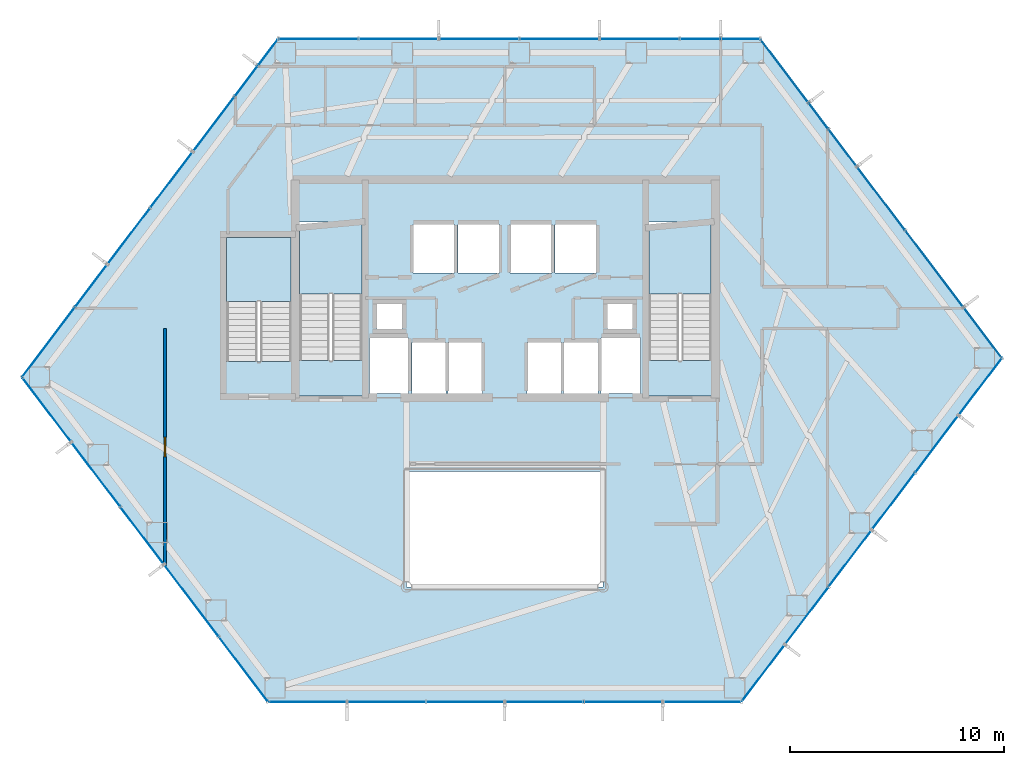
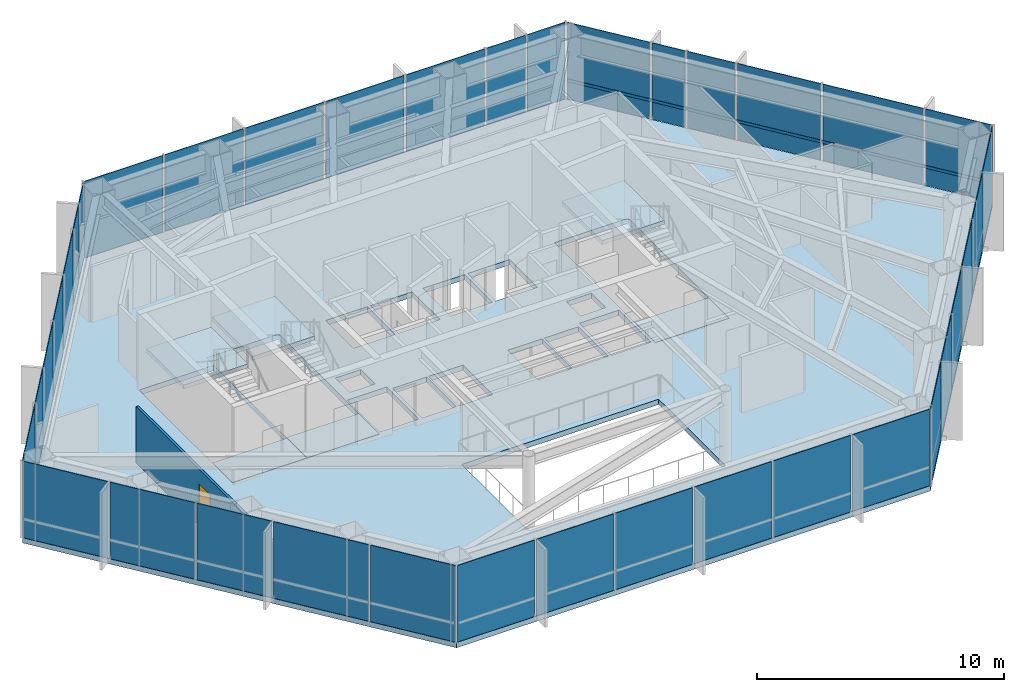
# One storey, part 21 of 25: 37 plates, 7 slabs, 1 door, 1 member, 1 wall, 1 opening, 9 elements without a shape of their own.
"""IFC4 building model written with IfcOpenShell, lengths in metres."""

from ifc_helpers import new_model, si_unit, direction, frame, frame_2d, origin, origin_2d, place, context, subcontext, project, spatial, polyline, rectangle, hollow_rectangle, outline, extrude, material, layer, layer_set, material_profile, profile_set, type_object, element, fill, aggregate, save


model = new_model("IFC4")

# Units and contexts
model_context = context("Model", 3, precision=1e-05, world=origin(), true_north=direction((0.0, 1.0)))
body_context = subcontext(model_context, "Body", "Model", "MODEL_VIEW")
ifc_project = project(units=[si_unit("LENGTHUNIT", "METRE"), si_unit("AREAUNIT", "SQUARE_METRE"), si_unit("VOLUMEUNIT", "CUBIC_METRE"), si_unit("PLANEANGLEUNIT", "RADIAN"), si_unit("MASSUNIT", "GRAM", prefix="KILO")], contexts=[model_context])

# Site, building, storey
site_placement = place(None, origin())
site = spatial("IfcSite", under=ifc_project, at=site_placement, CompositionType="ELEMENT")
building_placement = place(site_placement, origin())
building = spatial("IfcBuilding", under=site, at=building_placement, Name="Zarrinselat Tower", CompositionType="ELEMENT")
storey_placement = place(building_placement, frame((0.0, 0.0, 39.780029296875)))
storey = spatial("IfcBuildingStorey", under=building, at=storey_placement, Name="L09", CompositionType="ELEMENT", Elevation=39.780029296875)

# Curtain wall, member
ifc_material_1 = material(Name="Extruded Aluminium Alloy EN AW-6063 T6", Category="aluminium")
ifc_layer_1 = layer(ifc_material_1, 0.18505859375)
ifc_layer_set_1 = layer_set([ifc_layer_1], Name="Extruded Aluminium Alloy EN AW-6063 T6")
curtain_wall_type = type_object("IfcCurtainWallType", Name="CWS-OFF", PredefinedType="NOTDEFINED", material=ifc_layer_set_1)
curtain_wall_1_placement = place(storey_placement, origin())
curtain_wall_1 = element("IfcCurtainWall", 1, at=curtain_wall_1_placement, inside=storey, type_object=curtain_wall_type, Name="L09 Unitised Curtain Wall CW-L09-E06", PredefinedType="NOTDEFINED")
ifc_material_2 = material(Name="Extruded Aluminium Alloy EN AW-6063 T6", Category="aluminium")
ifc_material_profile = material_profile(ifc_material_2, hollow_rectangle(XDim=0.06005859375, YDim=0.139892578125, WallThickness=0.00390625, at=origin_2d()), Name="RHS 140x60x4")
ifc_profile_set = profile_set([ifc_material_profile], Name="Extruded Aluminium Alloy EN AW-6063 T6")
member_type = type_object("IfcMemberType", Name="MEM-CW-TRN", PredefinedType="USERDEFINED", material=ifc_profile_set)
member_placement = place(storey_placement, frame((61.6083984375, 35.1826171875, 0.949951171875), z_axis=(-0.60385819465, 0.797091764324, 0.0), x_axis=(-0.797091764324, -0.60385819465, 0.0)))
member = element("IfcMember", 2, at=member_placement, type_object=member_type, Name="CW-L09-E06 Transom 1", ObjectType="TRANSOM", PredefinedType="USERDEFINED", context=body_context, shape_type="SweptSolid", body=[
    extrude(hollow_rectangle(XDim=0.06005859375, YDim=0.139892578125, WallThickness=0.00390625, at=origin_2d()), origin(), (0.0, 0.0, 1.0), 18.554931640625),
])

# Curtain wall, plates
curtain_wall_2_placement = place(storey_placement, origin())
curtain_wall_2 = element("IfcCurtainWall", 3, at=curtain_wall_2_placement, inside=storey, type_object=curtain_wall_type, Name="L09 Unitised Curtain Wall CW-L09-E01", PredefinedType="NOTDEFINED")
ifc_material_3 = material(Name="Double Low-E Laminated Solar Glass", Category="glass")
ifc_layer_2 = layer(ifc_material_3, 0.031982421875)
ifc_layer_set_2 = layer_set([ifc_layer_2], Name="Double Low-E Laminated Solar Glass")
plate_type = type_object("IfcPlateType", Name="PLT-CW-GL32", PredefinedType="CURTAIN_PANEL", material=ifc_layer_set_2)
plate_1_placement = place(storey_placement, frame((49.4248046875, 50.04443359375, 0.02001953125), z_axis=(0.0, 0.0, 1.0), x_axis=(-1.0, 0.0, 0.0)))
plate_1 = element("IfcPlate", 4, at=plate_1_placement, type_object=plate_type, Name="CW-L09-E01 Vision Glass Panel 1", PredefinedType="CURTAIN_PANEL", context=body_context, shape_type="SweptSolid", body=[
    extrude(rectangle(XDim=1.74951171875, YDim=0.031982421875, at=origin_2d()), origin(), (0.0, 0.0, 1.0), 3.780029296875),
])
plate_2_placement = place(storey_placement, frame((47.54541015625, 50.04443359375, 0.02001953125), z_axis=(0.0, 0.0, 1.0), x_axis=(-1.0, 0.0, 0.0)))
plate_2 = element("IfcPlate", 5, at=plate_2_placement, type_object=plate_type, Name="CW-L09-E01 Vision Glass Panel 2", PredefinedType="CURTAIN_PANEL", context=body_context, shape_type="SweptSolid", body=[
    extrude(rectangle(XDim=1.80908203125, YDim=0.031982421875, at=origin_2d()), origin(), (0.0, 0.0, 1.0), 3.780029296875),
])
plate_3_placement = place(storey_placement, frame((44.7119140625, 50.04443359375, 0.02001953125), z_axis=(0.0, 0.0, 1.0), x_axis=(-1.0, 0.0, 0.0)))
plate_3 = element("IfcPlate", 6, at=plate_3_placement, type_object=plate_type, Name="CW-L09-E01 Vision Glass Panel 3", PredefinedType="CURTAIN_PANEL", context=body_context, shape_type="SweptSolid", body=[
    extrude(rectangle(XDim=3.658447265625, YDim=0.031982421875, at=origin_2d()), origin(), (0.0, 0.0, 1.0), 3.780029296875),
])
plate_4_placement = place(storey_placement, frame((40.953369140625, 50.04443359375, 0.02001953125), z_axis=(0.0, 0.0, 1.0), x_axis=(-1.0, 0.0, 0.0)))
plate_4 = element("IfcPlate", 7, at=plate_4_placement, type_object=plate_type, Name="CW-L09-E01 Vision Glass Panel 4", PredefinedType="CURTAIN_PANEL", context=body_context, shape_type="SweptSolid", body=[
    extrude(rectangle(XDim=3.658447265625, YDim=0.031982421875, at=origin_2d()), origin(), (0.0, 0.0, 1.0), 3.780029296875),
])
plate_5_placement = place(storey_placement, frame((37.195068359375, 50.04443359375, 0.02001953125), z_axis=(0.0, 0.0, 1.0), x_axis=(-1.0, 0.0, 0.0)))
plate_5 = element("IfcPlate", 8, at=plate_5_placement, type_object=plate_type, Name="CW-L09-E01 Vision Glass Panel 5", PredefinedType="CURTAIN_PANEL", context=body_context, shape_type="SweptSolid", body=[
    extrude(rectangle(XDim=3.658447265625, YDim=0.031982421875, at=origin_2d()), origin(), (0.0, 0.0, 1.0), 3.780029296875),
])
plate_6_placement = place(storey_placement, frame((33.436767578125, 50.04443359375, 0.02001953125), z_axis=(0.0, 0.0, 1.0), x_axis=(-1.0, 0.0, 0.0)))
plate_6 = element("IfcPlate", 9, at=plate_6_placement, type_object=plate_type, Name="CW-L09-E01 Vision Glass Panel 6", PredefinedType="CURTAIN_PANEL", context=body_context, shape_type="SweptSolid", body=[
    extrude(rectangle(XDim=3.658447265625, YDim=0.031982421875, at=origin_2d()), origin(), (0.0, 0.0, 1.0), 3.780029296875),
])
plate_7_placement = place(storey_placement, frame((29.67822265625, 50.04443359375, 0.02001953125), z_axis=(0.0, 0.0, 1.0), x_axis=(-1.0, 0.0, 0.0)))
plate_7 = element("IfcPlate", 10, at=plate_7_placement, type_object=plate_type, Name="CW-L09-E01 Vision Glass Panel 7", PredefinedType="CURTAIN_PANEL", context=body_context, shape_type="SweptSolid", body=[
    extrude(rectangle(XDim=3.658447265625, YDim=0.031982421875, at=origin_2d()), origin(), (0.0, 0.0, 1.0), 3.780029296875),
])
aggregate(curtain_wall_2, [plate_1, plate_2, plate_3, plate_4, plate_5, plate_6, plate_7])

curtain_wall_3_placement = place(storey_placement, origin())
curtain_wall_3 = element("IfcCurtainWall", 11, at=curtain_wall_3_placement, inside=storey, type_object=curtain_wall_type, Name="L09 Unitised Curtain Wall CW-L09-E02", PredefinedType="NOTDEFINED")
plate_8_placement = place(storey_placement, frame((27.322509765625, 49.415283203125, 0.02001953125), z_axis=(0.0, 0.0, 1.0), x_axis=(-0.603856912101, -0.797092735952, 0.0)))
plate_8 = element("IfcPlate", 12, at=plate_8_placement, type_object=plate_type, Name="CW-L09-E02 Vision Glass Panel 1", PredefinedType="CURTAIN_PANEL", context=body_context, shape_type="SweptSolid", body=[
    extrude(rectangle(XDim=1.478515625, YDim=0.031982421875, at=origin_2d()), origin(), (0.0, 0.0, 1.0), 3.780029296875),
])
plate_9_placement = place(storey_placement, frame((26.299072265625, 48.064208984375, 0.02001953125), z_axis=(0.0, 0.0, 1.0), x_axis=(-0.603856912101, -0.797092735952, 0.0)))
plate_9 = element("IfcPlate", 13, at=plate_9_placement, type_object=plate_type, Name="CW-L09-E02 Vision Glass Panel 2", PredefinedType="CURTAIN_PANEL", context=body_context, shape_type="SweptSolid", body=[
    extrude(rectangle(XDim=1.711181640625, YDim=0.031982421875, at=origin_2d()), origin(), (0.0, 0.0, 1.0), 3.780029296875),
])
plate_10_placement = place(storey_placement, frame((24.777587890625, 46.05615234375, 0.02001953125), z_axis=(0.0, 0.0, 1.0), x_axis=(-0.603856912101, -0.797092735952, 0.0)))
plate_10 = element("IfcPlate", 14, at=plate_10_placement, type_object=plate_type, Name="CW-L09-E02 Vision Glass Panel 3", PredefinedType="CURTAIN_PANEL", context=body_context, shape_type="SweptSolid", body=[
    extrude(rectangle(XDim=3.12744140625, YDim=0.031982421875, at=origin_2d()), origin(), (0.0, 0.0, 1.0), 3.780029296875),
])
plate_11_placement = place(storey_placement, frame((22.80419921875, 43.451416015625, 0.02001953125), z_axis=(0.0, 0.0, 1.0), x_axis=(-0.603856912101, -0.797092735952, 0.0)))
plate_11 = element("IfcPlate", 15, at=plate_11_placement, type_object=plate_type, Name="CW-L09-E02 Vision Glass Panel 4", PredefinedType="CURTAIN_PANEL", context=body_context, shape_type="SweptSolid", body=[
    extrude(rectangle(XDim=3.20849609375, YDim=0.031982421875, at=origin_2d()), origin(), (0.0, 0.0, 1.0), 3.780029296875),
])
plate_12_placement = place(storey_placement, frame((20.806396484375, 40.814208984375, 0.02001953125), z_axis=(0.0, 0.0, 1.0), x_axis=(-0.603856912101, -0.797092735952, 0.0)))
plate_12 = element("IfcPlate", 16, at=plate_12_placement, type_object=plate_type, Name="CW-L09-E02 Vision Glass Panel 5", PredefinedType="CURTAIN_PANEL", context=body_context, shape_type="SweptSolid", body=[
    extrude(rectangle(XDim=3.20849609375, YDim=0.031982421875, at=origin_2d()), origin(), (0.0, 0.0, 1.0), 3.780029296875),
])
plate_13_placement = place(storey_placement, frame((19.04638671875, 38.490966796875, 0.02001953125), z_axis=(0.0, 0.0, 1.0), x_axis=(-0.603856912101, -0.797092735952, 0.0)))
plate_13 = element("IfcPlate", 17, at=plate_13_placement, type_object=plate_type, Name="CW-L09-E02 Vision Glass Panel 6", PredefinedType="CURTAIN_PANEL", context=body_context, shape_type="SweptSolid", body=[
    extrude(rectangle(XDim=2.420654296875, YDim=0.031982421875, at=origin_2d()), origin(), (0.0, 0.0, 1.0), 3.780029296875),
])
plate_14_placement = place(storey_placement, frame((17.048583984375, 35.853515625, 0.02001953125), z_axis=(0.0, 0.0, 1.0), x_axis=(-0.603856912101, -0.797092735952, 0.0)))
plate_14 = element("IfcPlate", 18, at=plate_14_placement, type_object=plate_type, Name="CW-L09-E02 Vision Glass Panel 7", PredefinedType="CURTAIN_PANEL", context=body_context, shape_type="SweptSolid", body=[
    extrude(rectangle(XDim=3.996337890625, YDim=0.031982421875, at=origin_2d()), origin(), (0.0, 0.0, 1.0), 3.780029296875),
])
aggregate(curtain_wall_3, [plate_8, plate_9, plate_10, plate_11, plate_12, plate_13, plate_14])

curtain_wall_4_placement = place(storey_placement, origin())
curtain_wall_4 = element("IfcCurtainWall", 19, at=curtain_wall_4_placement, inside=storey, type_object=curtain_wall_type, Name="L09 Unitised Curtain Wall CW-L09-E03", PredefinedType="NOTDEFINED")
plate_15_placement = place(storey_placement, frame((16.963134765625, 32.701171875, 0.02001953125), z_axis=(0.0, 0.0, 1.0), x_axis=(0.603857284091, -0.797092454142, 0.0)))
plate_15 = element("IfcPlate", 20, at=plate_15_placement, type_object=plate_type, Name="CW-L09-E03 Vision Glass Panel 1", PredefinedType="CURTAIN_PANEL", context=body_context, shape_type="SweptSolid", body=[
    extrude(rectangle(XDim=3.71337890625, YDim=0.031982421875, at=origin_2d()), origin(), (0.0, 0.0, 1.0), 3.780029296875),
])
plate_16_placement = place(storey_placement, frame((19.265869140625, 29.66162109375, 0.02001953125), z_axis=(0.0, 0.0, 1.0), x_axis=(0.603857284091, -0.797092454142, 0.0)))
plate_16 = element("IfcPlate", 21, at=plate_16_placement, type_object=plate_type, Name="CW-L09-E03 Vision Glass Panel 2", PredefinedType="CURTAIN_PANEL", context=body_context, shape_type="SweptSolid", body=[
    extrude(rectangle(XDim=3.71337890625, YDim=0.031982421875, at=origin_2d()), origin(), (0.0, 0.0, 1.0), 3.780029296875),
])
plate_17_placement = place(storey_placement, frame((21.434814453125, 26.798583984375, 0.02001953125), z_axis=(0.0, 0.0, 1.0), x_axis=(0.603857284091, -0.797092454142, 0.0)))
plate_17 = element("IfcPlate", 22, at=plate_17_placement, type_object=plate_type, Name="CW-L09-E03 Vision Glass Panel 3", PredefinedType="CURTAIN_PANEL", context=body_context, shape_type="SweptSolid", body=[
    extrude(rectangle(XDim=3.27001953125, YDim=0.031982421875, at=origin_2d()), origin(), (0.0, 0.0, 1.0), 3.780029296875),
])
plate_18_placement = place(storey_placement, frame((23.7373046875, 23.759033203125, 0.02001953125), z_axis=(0.0, 0.0, 1.0), x_axis=(0.603857284091, -0.797092454142, 0.0)))
plate_18 = element("IfcPlate", 23, at=plate_18_placement, type_object=plate_type, Name="CW-L09-E03 Vision Glass Panel 4", PredefinedType="CURTAIN_PANEL", context=body_context, shape_type="SweptSolid", body=[
    extrude(rectangle(XDim=4.15673828125, YDim=0.031982421875, at=origin_2d()), origin(), (0.0, 0.0, 1.0), 3.780029296875),
])
plate_19_placement = place(storey_placement, frame((26.174072265625, 20.542724609375, 0.02001953125), z_axis=(0.0, 0.0, 1.0), x_axis=(0.603857284091, -0.797092454142, 0.0)))
plate_19 = element("IfcPlate", 24, at=plate_19_placement, type_object=plate_type, Name="CW-L09-E03 Vision Glass Panel 5", PredefinedType="CURTAIN_PANEL", context=body_context, shape_type="SweptSolid", body=[
    extrude(rectangle(XDim=3.71337890625, YDim=0.031982421875, at=origin_2d()), origin(), (0.0, 0.0, 1.0), 3.780029296875),
])
aggregate(curtain_wall_4, [plate_15, plate_16, plate_17, plate_18, plate_19])

curtain_wall_5_placement = place(storey_placement, origin())
curtain_wall_5 = element("IfcCurtainWall", 25, at=curtain_wall_5_placement, inside=storey, type_object=curtain_wall_type, Name="L09 Unitised Curtain Wall CW-L09-E04", PredefinedType="NOTDEFINED")
plate_20_placement = place(storey_placement, frame((29.171142578125, 19.02294921875, 0.02001953125), z_axis=(0.0, 0.0, 1.0), x_axis=(1.0, 0.0, 0.0)))
plate_20 = element("IfcPlate", 26, at=plate_20_placement, type_object=plate_type, Name="CW-L09-E04 Vision Glass Panel 1", PredefinedType="CURTAIN_PANEL", context=body_context, shape_type="SweptSolid", body=[
    extrude(rectangle(XDim=3.591552734375, YDim=0.031982421875, at=origin_2d()), origin(), (0.0, 0.0, 1.0), 3.780029296875),
])
plate_21_placement = place(storey_placement, frame((32.86279296875, 19.02294921875, 0.02001953125), z_axis=(0.0, 0.0, 1.0), x_axis=(1.0, 0.0, 0.0)))
plate_21 = element("IfcPlate", 27, at=plate_21_placement, type_object=plate_type, Name="CW-L09-E04 Vision Glass Panel 2", PredefinedType="CURTAIN_PANEL", context=body_context, shape_type="SweptSolid", body=[
    extrude(rectangle(XDim=3.591552734375, YDim=0.031982421875, at=origin_2d()), origin(), (0.0, 0.0, 1.0), 3.780029296875),
])
plate_22_placement = place(storey_placement, frame((36.55419921875, 19.02294921875, 0.02001953125), z_axis=(0.0, 0.0, 1.0), x_axis=(1.0, 0.0, 0.0)))
plate_22 = element("IfcPlate", 28, at=plate_22_placement, type_object=plate_type, Name="CW-L09-E04 Vision Glass Panel 3", PredefinedType="CURTAIN_PANEL", context=body_context, shape_type="SweptSolid", body=[
    extrude(rectangle(XDim=3.591552734375, YDim=0.031982421875, at=origin_2d()), origin(), (0.0, 0.0, 1.0), 3.780029296875),
])
plate_23_placement = place(storey_placement, frame((40.245849609375, 19.02294921875, 0.02001953125), z_axis=(0.0, 0.0, 1.0), x_axis=(1.0, 0.0, 0.0)))
plate_23 = element("IfcPlate", 29, at=plate_23_placement, type_object=plate_type, Name="CW-L09-E04 Vision Glass Panel 4", PredefinedType="CURTAIN_PANEL", context=body_context, shape_type="SweptSolid", body=[
    extrude(rectangle(XDim=3.591552734375, YDim=0.031982421875, at=origin_2d()), origin(), (0.0, 0.0, 1.0), 3.780029296875),
])
plate_24_placement = place(storey_placement, frame((43.937255859375, 19.02294921875, 0.02001953125), z_axis=(0.0, 0.0, 1.0), x_axis=(1.0, 0.0, 0.0)))
plate_24 = element("IfcPlate", 30, at=plate_24_placement, type_object=plate_type, Name="CW-L09-E04 Vision Glass Panel 5", PredefinedType="CURTAIN_PANEL", context=body_context, shape_type="SweptSolid", body=[
    extrude(rectangle(XDim=3.591552734375, YDim=0.031982421875, at=origin_2d()), origin(), (0.0, 0.0, 1.0), 3.780029296875),
])
plate_25_placement = place(storey_placement, frame((47.62890625, 19.02294921875, 0.02001953125), z_axis=(0.0, 0.0, 1.0), x_axis=(1.0, 0.0, 0.0)))
plate_25 = element("IfcPlate", 31, at=plate_25_placement, type_object=plate_type, Name="CW-L09-E04 Vision Glass Panel 6", PredefinedType="CURTAIN_PANEL", context=body_context, shape_type="SweptSolid", body=[
    extrude(rectangle(XDim=3.591552734375, YDim=0.031982421875, at=origin_2d()), origin(), (0.0, 0.0, 1.0), 3.780029296875),
])
aggregate(curtain_wall_5, [plate_20, plate_21, plate_22, plate_23, plate_24, plate_25])

curtain_wall_6_placement = place(storey_placement, origin())
curtain_wall_6 = element("IfcCurtainWall", 32, at=curtain_wall_6_placement, inside=storey, type_object=curtain_wall_type, Name="L09 Unitised Curtain Wall CW-L09-E05", PredefinedType="NOTDEFINED")
plate_26_placement = place(storey_placement, frame((50.490234375, 20.363525390625, 0.02001953125), z_axis=(0.0, 0.0, 1.0), x_axis=(0.603859118859, 0.797091064164, 0.0)))
plate_26 = element("IfcPlate", 33, at=plate_26_placement, type_object=plate_type, Name="CW-L09-E05 Vision Glass Panel 1", PredefinedType="CURTAIN_PANEL", context=body_context, shape_type="SweptSolid", body=[
    extrude(rectangle(XDim=3.263916015625, YDim=0.031982421875, at=origin_2d()), origin(), (0.0, 0.0, 1.0), 3.780029296875),
])
plate_27_placement = place(storey_placement, frame((52.52685546875, 23.052001953125, 0.02001953125), z_axis=(0.0, 0.0, 1.0), x_axis=(0.603859118859, 0.797091064164, 0.0)))
plate_27 = element("IfcPlate", 34, at=plate_27_placement, type_object=plate_type, Name="CW-L09-E05 Vision Glass Panel 2", PredefinedType="CURTAIN_PANEL", context=body_context, shape_type="SweptSolid", body=[
    extrude(rectangle(XDim=3.281494140625, YDim=0.031982421875, at=origin_2d()), origin(), (0.0, 0.0, 1.0), 3.780029296875),
])
plate_28_placement = place(storey_placement, frame((54.55810546875, 25.7333984375, 0.02001953125), z_axis=(0.0, 0.0, 1.0), x_axis=(0.603859118859, 0.797091064164, 0.0)))
plate_28 = element("IfcPlate", 35, at=plate_28_placement, type_object=plate_type, Name="CW-L09-E05 Vision Glass Panel 3", PredefinedType="CURTAIN_PANEL", context=body_context, shape_type="SweptSolid", body=[
    extrude(rectangle(XDim=3.246337890625, YDim=0.031982421875, at=origin_2d()), origin(), (0.0, 0.0, 1.0), 3.780029296875),
])
plate_29_placement = place(storey_placement, frame((56.584228515625, 28.40771484375, 0.02001953125), z_axis=(0.0, 0.0, 1.0), x_axis=(0.603859118859, 0.797091064164, 0.0)))
plate_29 = element("IfcPlate", 36, at=plate_29_placement, type_object=plate_type, Name="CW-L09-E05 Vision Glass Panel 4", PredefinedType="CURTAIN_PANEL", context=body_context, shape_type="SweptSolid", body=[
    extrude(rectangle(XDim=3.263916015625, YDim=0.031982421875, at=origin_2d()), origin(), (0.0, 0.0, 1.0), 3.780029296875),
])
plate_30_placement = place(storey_placement, frame((58.615478515625, 31.089111328125, 0.02001953125), z_axis=(0.0, 0.0, 1.0), x_axis=(0.603859118859, 0.797091064164, 0.0)))
plate_30 = element("IfcPlate", 37, at=plate_30_placement, type_object=plate_type, Name="CW-L09-E05 Vision Glass Panel 5", PredefinedType="CURTAIN_PANEL", context=body_context, shape_type="SweptSolid", body=[
    extrude(rectangle(XDim=3.263916015625, YDim=0.031982421875, at=origin_2d()), origin(), (0.0, 0.0, 1.0), 3.780029296875),
])
plate_31_placement = place(storey_placement, frame((60.64697265625, 33.770263671875, 0.02001953125), z_axis=(0.0, 0.0, 1.0), x_axis=(0.603859118859, 0.797091064164, 0.0)))
plate_31 = element("IfcPlate", 38, at=plate_31_placement, type_object=plate_type, Name="CW-L09-E05 Vision Glass Panel 6", PredefinedType="CURTAIN_PANEL", context=body_context, shape_type="SweptSolid", body=[
    extrude(rectangle(XDim=3.263916015625, YDim=0.031982421875, at=origin_2d()), origin(), (0.0, 0.0, 1.0), 3.780029296875),
])
aggregate(curtain_wall_6, [plate_26, plate_27, plate_28, plate_29, plate_30, plate_31])

# Plate
plate_32_placement = place(storey_placement, frame((60.762939453125, 36.298583984375, 0.02001953125), z_axis=(0.0, 0.0, 1.0), x_axis=(-0.603858304597, 0.797091681031, 0.0)))
plate_32 = element("IfcPlate", 39, at=plate_32_placement, type_object=plate_type, Name="CW-L09-E06 Vision Glass Panel 1", PredefinedType="CURTAIN_PANEL", context=body_context, shape_type="SweptSolid", body=[
    extrude(rectangle(XDim=2.8798828125, YDim=0.031982421875, at=origin_2d()), origin(), (0.0, 0.0, 1.0), 3.780029296875),
])

plate_33_placement = place(storey_placement, frame((58.500244140625, 39.285400390625, 0.02001953125), z_axis=(0.0, 0.0, 1.0), x_axis=(-0.603858304597, 0.797091681031, 0.0)))
plate_33 = element("IfcPlate", 40, at=plate_33_placement, type_object=plate_type, Name="CW-L09-E06 Vision Glass Panel 2", PredefinedType="CURTAIN_PANEL", context=body_context, shape_type="SweptSolid", body=[
    extrude(rectangle(XDim=4.4140625, YDim=0.031982421875, at=origin_2d()), origin(), (0.0, 0.0, 1.0), 3.780029296875),
])

plate_34_placement = place(storey_placement, frame((56.006103515625, 42.57763671875, 0.02001953125), z_axis=(0.0, 0.0, 1.0), x_axis=(-0.603858304597, 0.797091681031, 0.0)))
plate_34 = element("IfcPlate", 41, at=plate_34_placement, type_object=plate_type, Name="CW-L09-E06 Vision Glass Panel 3", PredefinedType="CURTAIN_PANEL", context=body_context, shape_type="SweptSolid", body=[
    extrude(rectangle(XDim=3.64697265625, YDim=0.031982421875, at=origin_2d()), origin(), (0.0, 0.0, 1.0), 3.780029296875),
])

plate_35_placement = place(storey_placement, frame((54.211181640625, 44.94677734375, 0.02001953125), z_axis=(0.0, 0.0, 1.0), x_axis=(-0.603858304597, 0.797091681031, 0.0)))
plate_35 = element("IfcPlate", 42, at=plate_35_placement, type_object=plate_type, Name="CW-L09-E06 Vision Glass Panel 4", PredefinedType="CURTAIN_PANEL", context=body_context, shape_type="SweptSolid", body=[
    extrude(rectangle(XDim=2.097412109375, YDim=0.031982421875, at=origin_2d()), origin(), (0.0, 0.0, 1.0), 3.780029296875),
])

plate_36_placement = place(storey_placement, frame((53.079833984375, 46.440185546875, 0.02001953125), z_axis=(0.0, 0.0, 1.0), x_axis=(-0.603858304597, 0.797091681031, 0.0)))
plate_36 = element("IfcPlate", 43, at=plate_36_placement, type_object=plate_type, Name="CW-L09-E06 Vision Glass Panel 5", PredefinedType="CURTAIN_PANEL", context=body_context, shape_type="SweptSolid", body=[
    extrude(rectangle(XDim=1.44970703125, YDim=0.031982421875, at=origin_2d()), origin(), (0.0, 0.0, 1.0), 3.780029296875),
])

plate_37_placement = place(storey_placement, frame((51.480712890625, 48.551025390625, 0.02001953125), z_axis=(0.0, 0.0, 1.0), x_axis=(-0.603858304597, 0.797091681031, 0.0)))
plate_37 = element("IfcPlate", 44, at=plate_37_placement, type_object=plate_type, Name="CW-L09-E06 Vision Glass Panel 6", PredefinedType="CURTAIN_PANEL", context=body_context, shape_type="SweptSolid", body=[
    extrude(rectangle(XDim=3.64697265625, YDim=0.031982421875, at=origin_2d()), origin(), (0.0, 0.0, 1.0), 3.780029296875),
])

aggregate(curtain_wall_1, [member, plate_32, plate_33, plate_34, plate_35, plate_36, plate_37])

# Slabs
ifc_material_4 = material(Name="Concrete C40/50", Category="concrete")
ifc_layer_3 = layer(ifc_material_4, 0.260009765625)
ifc_layer_set_3 = layer_set([ifc_layer_3], Name="Concrete C40/50")
slab_type_1 = type_object("IfcSlabType", Name="SLB-FLOOR-260-SL-OF260", PredefinedType="FLOOR", material=ifc_layer_set_3)
slab_1_placement = place(storey_placement, frame((0.0, 0.0, -0.260009765625)))
element("IfcSlab", 45, at=slab_1_placement, inside=storey, type_object=slab_type_1, Name="L09 Primary Structural Slab", PredefinedType="FLOOR", context=body_context, shape_type="SweptSolid", body=[
    extrude(outline(polyline([(50.349365234375, 50.04443359375), (27.799072265625, 50.04443359375), (15.811767578125, 34.220947265625), (27.325439453125, 19.02294921875), (49.474609375, 19.02294921875), (61.66259765625, 35.111083984375), (50.349365234375, 50.04443359375)]), holes=[polyline([(34.050048828125, 33.449951171875), (34.050048828125, 35.85009765625), (35.64990234375, 35.85009765625), (35.64990234375, 33.449951171875), (34.050048828125, 33.449951171875)]), polyline([(35.75, 33.449951171875), (35.75, 35.85009765625), (37.35009765625, 35.85009765625), (37.35009765625, 33.449951171875), (35.75, 33.449951171875)]), polyline([(32.06005859375, 33.449951171875), (32.06005859375, 36.050048828125), (33.89990234375, 36.050048828125), (33.89990234375, 33.449951171875), (32.06005859375, 33.449951171875)]), polyline([(32.419921875, 36.47998046875), (32.419921875, 37.639892578125), (33.60009765625, 37.639892578125), (33.60009765625, 36.47998046875), (32.419921875, 36.47998046875)]), polyline([(28.594970703125, 33.324951171875), (25.114990234375, 33.324951171875), (25.114990234375, 40.875), (28.594970703125, 40.875), (28.594970703125, 33.324951171875)]), polyline([(31.985107421875, 33.324951171875), (28.60498046875, 33.324951171875), (28.60498046875, 41.47509765625), (31.985107421875, 41.47509765625), (31.985107421875, 33.324951171875)]), polyline([(34.10009765625, 39.10009765625), (34.10009765625, 41.35009765625), (36.050048828125, 41.35009765625), (36.050048828125, 39.10009765625), (34.10009765625, 39.10009765625)]), polyline([(36.199951171875, 39.10009765625), (36.199951171875, 41.35009765625), (38.14990234375, 41.35009765625), (38.14990234375, 39.10009765625), (36.199951171875, 39.10009765625)]), polyline([(33.800048828125, 24.39990234375), (33.800048828125, 29.800048828125), (43.0, 29.800048828125), (43.0, 24.39990234375), (33.800048828125, 24.39990234375)]), polyline([(39.449951171875, 33.449951171875), (39.449951171875, 35.85009765625), (41.050048828125, 35.85009765625), (41.050048828125, 33.449951171875), (39.449951171875, 33.449951171875)]), polyline([(41.14990234375, 33.449951171875), (41.14990234375, 35.85009765625), (42.75, 35.85009765625), (42.75, 33.449951171875), (41.14990234375, 33.449951171875)]), polyline([(42.89990234375, 33.449951171875), (42.89990234375, 36.050048828125), (44.739990234375, 36.050048828125), (44.739990234375, 33.449951171875), (42.89990234375, 33.449951171875)]), polyline([(43.199951171875, 36.47998046875), (43.199951171875, 37.639892578125), (44.3798828125, 37.639892578125), (44.3798828125, 36.47998046875), (43.199951171875, 36.47998046875)]), polyline([(48.324951171875, 33.324951171875), (44.875, 33.324951171875), (44.875, 41.47509765625), (48.324951171875, 41.47509765625), (48.324951171875, 33.324951171875)]), polyline([(38.64990234375, 39.10009765625), (38.64990234375, 41.35009765625), (40.60009765625, 41.35009765625), (40.60009765625, 39.10009765625), (38.64990234375, 39.10009765625)]), polyline([(40.75, 39.10009765625), (40.75, 41.35009765625), (42.699951171875, 41.35009765625), (42.699951171875, 39.10009765625), (40.75, 39.10009765625)])]), origin(), (0.0, 0.0, 1.0), 0.260009765625),
])
slab_2_placement = place(storey_placement, frame((0.0, 0.0, -0.260009765625)))
element("IfcSlab", 46, at=slab_2_placement, inside=storey, type_object=slab_type_1, Name="L09 Stair ST-1-FL1 Structural Floor Landing", PredefinedType="FLOOR", context=body_context, shape_type="SweptSolid", body=[
    extrude(outline(polyline([(31.97998046875, 33.330078125), (31.97998046875, 35.0), (28.610107421875, 35.0), (28.610107421875, 33.330078125), (31.97998046875, 33.330078125)])), origin(), (0.0, 0.0, 1.0), 0.260009765625),
])
slab_3_placement = place(storey_placement, frame((0.0, 0.0, -0.260009765625)))
element("IfcSlab", 47, at=slab_3_placement, inside=storey, type_object=slab_type_1, Name="L09 Stair ST-2-FL1 Structural Floor Landing", PredefinedType="FLOOR", context=body_context, shape_type="SweptSolid", body=[
    extrude(outline(polyline([(48.320068359375, 33.330078125), (48.320068359375, 35.0), (44.8798828125, 35.0), (44.8798828125, 33.330078125), (48.320068359375, 33.330078125)])), origin(), (0.0, 0.0, 1.0), 0.260009765625),
])
slab_4_placement = place(storey_placement, frame((0.0, 0.0, -0.260009765625)))
element("IfcSlab", 48, at=slab_4_placement, inside=storey, type_object=slab_type_1, Name="L09 Stair ST-3-FL1 Structural Floor Landing", PredefinedType="FLOOR", context=body_context, shape_type="SweptSolid", body=[
    extrude(outline(polyline([(28.590087890625, 33.330078125), (28.590087890625, 34.949951171875), (25.1201171875, 34.949951171875), (25.1201171875, 33.330078125), (28.590087890625, 33.330078125)])), origin(), (0.0, 0.0, 1.0), 0.260009765625),
])

# Stair, slab
ifc_material_5 = material(Name="Concrete C40/50", Category="concrete")
stair_type_1 = type_object("IfcStairType", Name="STR-CORE-145", PredefinedType="HALF_TURN_STAIR", material=ifc_material_5)
stair_1_placement = place(storey_placement, origin())
stair_1 = element("IfcStair", 49, at=stair_1_placement, inside=storey, type_object=stair_type_1, Name="L09 Podium & Mid-Tower Exit Stair 3", PredefinedType="HALF_TURN_STAIR")
ifc_material_6 = material(Name="Concrete C40/50", Category="concrete")
ifc_layer_4 = layer(ifc_material_6, 0.1650390625)
ifc_layer_set_4 = layer_set([ifc_layer_4], Name="Concrete C40/50")
slab_type_2 = type_object("IfcSlabType", Name="SLB-LND-165", PredefinedType="LANDING", material=ifc_layer_set_4)
slab_5_placement = place(storey_placement, frame((0.0, 0.0, 1.840087890625)))
slab_5 = element("IfcSlab", 50, at=slab_5_placement, type_object=slab_type_2, Name="ST-3 landing 1", PredefinedType="LANDING", context=body_context, shape_type="SweptSolid", body=[
    extrude(outline(polyline([(28.39990234375, 37.75), (28.39990234375, 40.75), (25.3798828125, 40.75), (25.3798828125, 37.75), (28.39990234375, 37.75)])), origin(), (0.0, 0.0, 1.0), 0.199951171875),
])
aggregate(stair_1, [slab_5])

ifc_material_7 = material(Name="Concrete C40/50", Category="concrete")
stair_type_2 = type_object("IfcStairType", Name="STR-CORE-155", PredefinedType="HALF_TURN_STAIR", material=ifc_material_7)
stair_2_placement = place(storey_placement, origin())
stair_2 = element("IfcStair", 51, at=stair_2_placement, inside=storey, type_object=stair_type_2, Name="L09 Core Exit Stair 1", PredefinedType="HALF_TURN_STAIR")
ifc_material_8 = material(Name="Concrete C40/50", Category="concrete")
ifc_layer_5 = layer(ifc_material_8, 0.18994140625)
ifc_layer_set_5 = layer_set([ifc_layer_5], Name="Concrete C40/50")
slab_type_3 = type_object("IfcSlabType", Name="SLB-LND-190", PredefinedType="LANDING", material=ifc_layer_set_5)
slab_6_placement = place(storey_placement, frame((0.0, 0.0, 1.840087890625)))
slab_6 = element("IfcSlab", 52, at=slab_6_placement, type_object=slab_type_3, Name="ST-1 landing 1", PredefinedType="LANDING", context=body_context, shape_type="SweptSolid", body=[
    extrude(outline(polyline([(31.719970703125, 38.10009765625), (31.719970703125, 41.35009765625), (28.800048828125, 41.35009765625), (28.800048828125, 38.10009765625), (31.719970703125, 38.10009765625)])), origin(), (0.0, 0.0, 1.0), 0.199951171875),
])
aggregate(stair_2, [slab_6])

stair_3_placement = place(storey_placement, origin())
stair_3 = element("IfcStair", 53, at=stair_3_placement, inside=storey, type_object=stair_type_2, Name="L09 Core Exit Stair 2", PredefinedType="HALF_TURN_STAIR")
slab_7_placement = place(storey_placement, frame((0.0, 0.0, 1.840087890625)))
slab_7 = element("IfcSlab", 54, at=slab_7_placement, type_object=slab_type_3, Name="ST-2 landing 1", PredefinedType="LANDING", context=body_context, shape_type="SweptSolid", body=[
    extrude(outline(polyline([(48.06005859375, 38.10009765625), (48.06005859375, 41.35009765625), (45.139892578125, 41.35009765625), (45.139892578125, 38.10009765625), (48.06005859375, 38.10009765625)])), origin(), (0.0, 0.0, 1.0), 0.199951171875),
])
aggregate(stair_3, [slab_7])

# Wall, opening, door
ifc_material_9 = material(Name="Fire-Rated Gypsum Board Partition", Category="gypsum")
ifc_layer_6 = layer(ifc_material_9, 0.1201171875)
ifc_layer_set_6 = layer_set([ifc_layer_6], Name="Fire-Rated Gypsum Board Partition")
wall_type = type_object("IfcWallType", Name="WAL-PART-STD", PredefinedType="PARTITIONING", material=ifc_layer_set_6)
wall_placement = place(storey_placement, frame((22.5, 25.407470703125, 0.0), z_axis=(0.0, 0.0, 1.0), x_axis=(0.0, 1.0, 0.0)))
wall = element("IfcWall", 55, at=wall_placement, inside=storey, type_object=wall_type, Name="L09 Partition Wall 42", PredefinedType="PARTITIONING", context=body_context, shape_type="SweptSolid", body=[
    extrude(rectangle(XDim=11.092529296875, YDim=0.1201171875, at=frame_2d((5.54638671875, 0.0))), origin(), (0.0, 0.0, 1.0), 2.77685546875),
])
opening_placement = place(wall_placement, frame((5.09619140625, 0.0, 0.0)))
opening = element("IfcOpeningElement", 56, at=opening_placement, cuts=wall, Name="Opening ID-05", PredefinedType="OPENING", context=body_context, shape_type="SweptSolid", body=[
    extrude(rectangle(XDim=0.89990234375, YDim=2.050048828125, at=frame_2d((0.449951171875, 1.02490234375))), frame((0.0, 0.070068359375, 0.0), z_axis=(0.0, -1.0, 0.0), x_axis=(1.0, 0.0, 0.0)), (0.0, 0.0, 1.0), 0.14013671875),
])
ifc_material_10 = material(Name="Extruded Aluminium Alloy EN AW-6063 T6", Category="aluminium")
door_type = type_object("IfcDoorType", Name="DR-INT-STD-920", OperationType="NOTDEFINED", PredefinedType="DOOR", material=ifc_material_10)
door_placement = place(opening_placement, origin())
door = element("IfcDoor", 57, at=door_placement, inside=storey, type_object=door_type, Name="L09 Interior Door P42", OperationType="SINGLE_SWING_RIGHT", OverallHeight=2.050048828125, OverallWidth=0.89990234375, PredefinedType="DOOR", context=body_context, shape_type="SweptSolid", body=[
    extrude(rectangle(XDim=0.89990234375, YDim=2.050048828125, at=frame_2d((0.449951171875, 1.02490234375))), frame((0.0, 0.02490234375, 0.0), z_axis=(0.0, -1.0, 0.0), x_axis=(1.0, 0.0, 0.0)), (0.0, 0.0, 1.0), 0.050048828125),
])
fill(opening, door)

save(model, "model.ifc")
